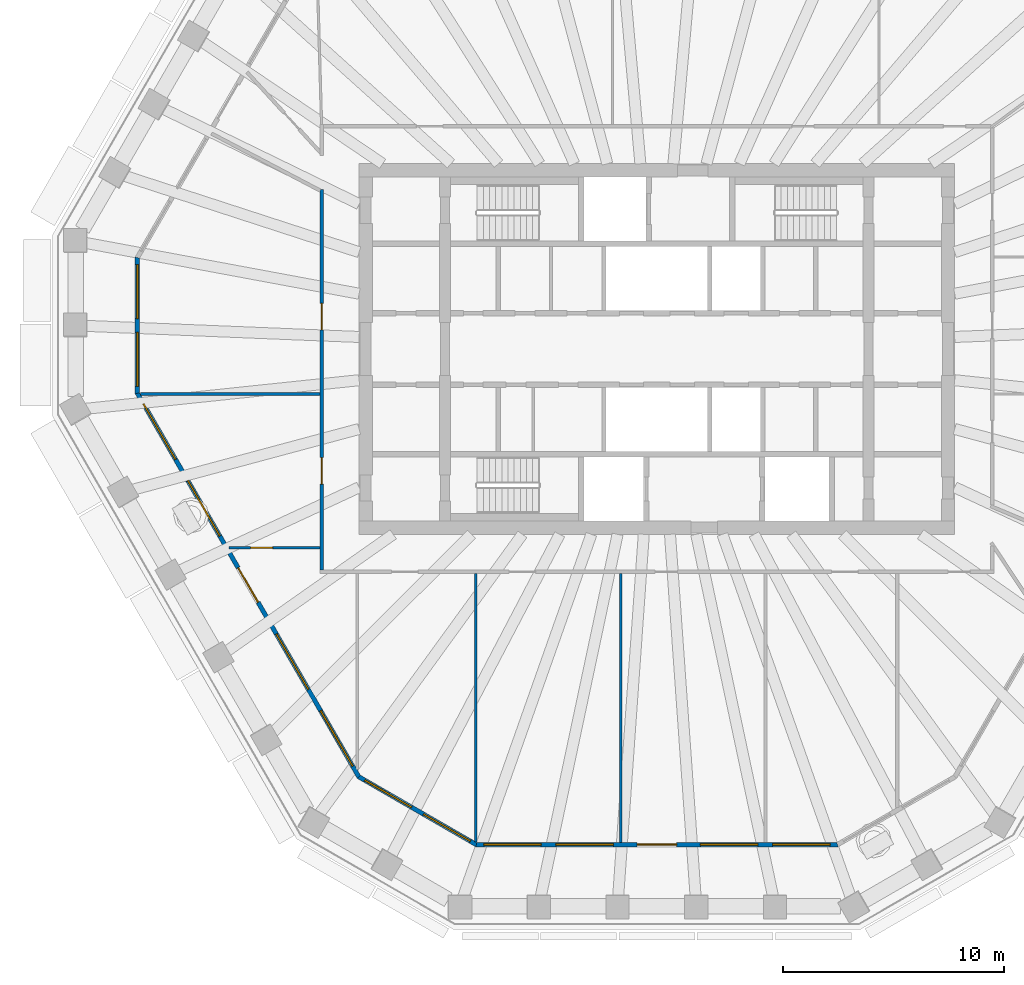
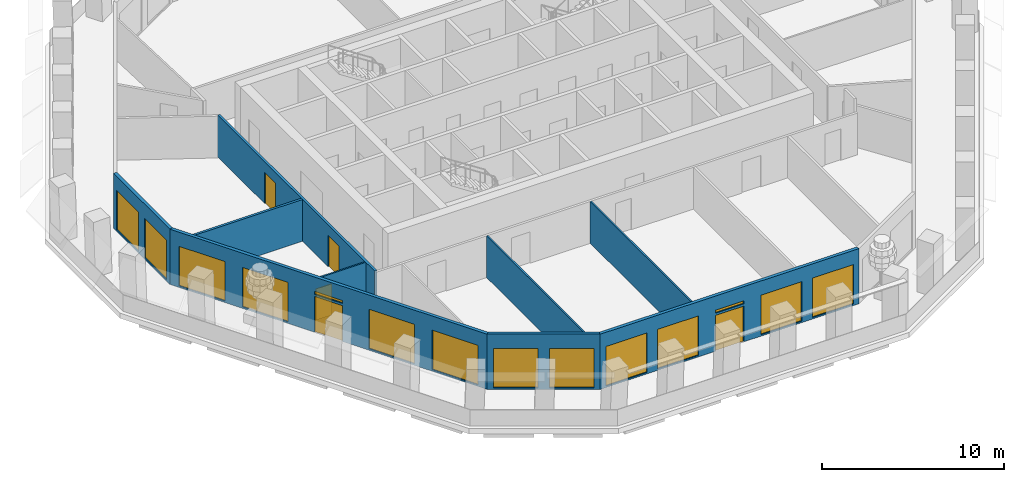
# One storey, part 3 of 12: 14 windows, 9 walls, 5 doors, 19 openings.
"""IFC4 building model written with IfcOpenShell, lengths in metres."""

from ifc_helpers import new_model, si_unit, direction, frame, frame_2d, origin, place, context, subcontext, project, spatial, polyline, rectangle, outline, extrude, material, layer, layer_set, type_object, element, fill, save


model = new_model("IFC4")

# Units and contexts
model_context = context("Model", 3, precision=1e-05, world=origin(), true_north=direction((0.0, 1.0)))
body_context = subcontext(model_context, "Body", "Model", "MODEL_VIEW")
ifc_project = project(units=[si_unit("LENGTHUNIT", "METRE"), si_unit("AREAUNIT", "SQUARE_METRE"), si_unit("VOLUMEUNIT", "CUBIC_METRE"), si_unit("PLANEANGLEUNIT", "RADIAN"), si_unit("MASSUNIT", "GRAM", prefix="KILO")], contexts=[model_context])

# Site, building, storey
site_placement = place(None, origin())
site = spatial("IfcSite", under=ifc_project, at=site_placement, CompositionType="ELEMENT")
building_placement = place(site_placement, origin())
building = spatial("IfcBuilding", under=site, at=building_placement, Name="Frailejon Research Tower", CompositionType="ELEMENT")
storey_placement = place(building_placement, frame((0.0, 0.0, 245.39990234375)))
storey = spatial("IfcBuildingStorey", under=building, at=storey_placement, Name="L53", CompositionType="ELEMENT", Elevation=245.39990234375)

# Wall, openings, doors
ifc_material_1 = material(Name="Gypsum board and masonry partition", Category="masonry")
ifc_layer_1 = layer(ifc_material_1, 0.14990234375)
ifc_layer_set_1 = layer_set([ifc_layer_1], Name="Corridor wall EI 60, gypsum on steel studs 150")
wall_type_1 = type_object("IfcWallType", Name="Corridor wall EI 60, gypsum on steel studs 150", PredefinedType="PARTITIONING", material=ifc_layer_set_1)
wall_1_placement = place(storey_placement, frame((-15.199951171875, -10.02490234375, 0.0), z_axis=(0.0, 0.0, 1.0), x_axis=(0.0, 1.0, 0.0)))
wall_1 = element("IfcWall", 1, at=wall_1_placement, inside=storey, type_object=wall_type_1, Name="T:IW:L53:006", PredefinedType="PARTITIONING", context=body_context, shape_type="SweptSolid", body=[
    extrude(rectangle(XDim=17.25, YDim=0.14990234375, at=frame_2d((8.625, 0.0))), origin(), (0.0, 0.0, 1.0), 2.800048828125),
])
opening_1_placement = place(wall_1_placement, frame((10.889892578125, 0.0, 0.0)))
opening_1 = element("IfcOpeningElement", 2, at=opening_1_placement, cuts=wall_1, Name="Opening D2042", PredefinedType="OPENING", context=body_context, shape_type="SweptSolid", body=[
    extrude(rectangle(XDim=1.199951171875, YDim=2.10009765625, at=frame_2d((0.60009765625, 1.050048828125))), frame((0.0, 0.0849609375, 0.0), z_axis=(0.0, -1.0, 0.0), x_axis=(1.0, 0.0, 0.0)), (0.0, 0.0, 1.0), 0.169921875),
])
opening_2_placement = place(wall_1_placement, frame((3.904052734375, 0.0, 0.0)))
opening_2 = element("IfcOpeningElement", 3, at=opening_2_placement, cuts=wall_1, Name="Opening D2043", PredefinedType="OPENING", context=body_context, shape_type="SweptSolid", body=[
    extrude(rectangle(XDim=1.199951171875, YDim=2.10009765625, at=frame_2d((0.60009765625, 1.050048828125))), frame((0.0, 0.0849609375, 0.0), z_axis=(0.0, -1.0, 0.0), x_axis=(1.0, 0.0, 0.0)), (0.0, 0.0, 1.0), 0.169921875),
])
ifc_material_2 = material(Name="Timber door leaf", Category="wood")
door_type_1 = type_object("IfcDoorType", Name="Door laboratory, timber, vision panel 1200", OperationType="NOTDEFINED", PredefinedType="DOOR", material=ifc_material_2)
door_1_placement = place(opening_1_placement, origin())
door_1 = element("IfcDoor", 4, at=door_1_placement, inside=storey, type_object=door_type_1, Name="D2042", OperationType="DOUBLE_DOOR_SINGLE_SWING", OverallHeight=2.10009765625, OverallWidth=1.199951171875, PredefinedType="DOOR", context=body_context, shape_type="SweptSolid", body=[
    extrude(rectangle(XDim=1.199951171875, YDim=2.10009765625, at=frame_2d((0.60009765625, 1.050048828125))), frame((0.0, 0.02490234375, 0.0), z_axis=(0.0, -1.0, 0.0), x_axis=(1.0, 0.0, 0.0)), (0.0, 0.0, 1.0), 0.050048828125),
])
fill(opening_1, door_1)
ifc_material_3 = material(Name="Timber door leaf", Category="wood")
door_type_2 = type_object("IfcDoorType", Name="Door single leaf, timber, steel frame 1200", OperationType="NOTDEFINED", PredefinedType="DOOR", material=ifc_material_3)
door_2_placement = place(opening_2_placement, origin())
door_2 = element("IfcDoor", 5, at=door_2_placement, inside=storey, type_object=door_type_2, Name="D2043", OperationType="DOUBLE_DOOR_SINGLE_SWING", OverallHeight=2.10009765625, OverallWidth=1.199951171875, PredefinedType="DOOR", context=body_context, shape_type="SweptSolid", body=[
    extrude(rectangle(XDim=1.199951171875, YDim=2.10009765625, at=frame_2d((0.60009765625, 1.050048828125))), frame((0.0, 0.02490234375, 0.0), z_axis=(0.0, -1.0, 0.0), x_axis=(1.0, 0.0, 0.0)), (0.0, 0.0, 1.0), 0.050048828125),
])
fill(opening_2, door_2)

# Wall
ifc_material_4 = material(Name="Gypsum board and masonry partition", Category="masonry")
ifc_layer_2 = layer(ifc_material_4, 0.14990234375)
ifc_layer_set_2 = layer_set([ifc_layer_2], Name="Laboratory partition, blockwork 150")
wall_type_2 = type_object("IfcWallType", Name="Laboratory partition, blockwork 150", PredefinedType="PARTITIONING", material=ifc_layer_set_2)
wall_2_placement = place(storey_placement, frame((-23.42041015625, -2.034912109375, 0.0), z_axis=(0.0, 0.0, 1.0), x_axis=(1.0, 0.0, 0.0)))
element("IfcWall", 6, at=wall_2_placement, inside=storey, type_object=wall_type_2, Name="T:IW:L53:011", PredefinedType="PARTITIONING", context=body_context, shape_type="SweptSolid", body=[
    extrude(rectangle(XDim=8.1455078125, YDim=0.14990234375, at=frame_2d((4.07275390625, 0.0))), origin(), (0.0, 0.0, 1.0), 2.800048828125),
])

# Wall, opening, door
ifc_material_5 = material(Name="Gypsum board and masonry partition", Category="masonry")
ifc_layer_3 = layer(ifc_material_5, 0.10009765625)
ifc_layer_set_3 = layer_set([ifc_layer_3], Name="Partition, gypsum on steel studs 100")
wall_type_3 = type_object("IfcWallType", Name="Partition, gypsum on steel studs 100", PredefinedType="PARTITIONING", material=ifc_layer_set_3)
wall_3_placement = place(storey_placement, frame((-19.39501953125, -9.007080078125, 0.0), z_axis=(0.0, 0.0, 1.0), x_axis=(1.0, 0.0, 0.0)))
wall_3 = element("IfcWall", 7, at=wall_3_placement, inside=storey, type_object=wall_type_3, Name="T:IW:L53:020", PredefinedType="PARTITIONING", context=body_context, shape_type="SweptSolid", body=[
    extrude(rectangle(XDim=4.1201171875, YDim=0.10009765625, at=frame_2d((2.06005859375, 0.0))), origin(), (0.0, 0.0, 1.0), 2.800048828125),
])
opening_3_placement = place(wall_3_placement, frame((0.9736328125, 0.0, 0.0)))
opening_3 = element("IfcOpeningElement", 8, at=opening_3_placement, cuts=wall_3, Name="Opening D2044", PredefinedType="OPENING", context=body_context, shape_type="SweptSolid", body=[
    extrude(rectangle(XDim=1.0, YDim=2.10009765625, at=frame_2d((0.5, 1.050048828125))), frame((0.0, 0.06005859375, 0.0), z_axis=(0.0, -1.0, 0.0), x_axis=(1.0, 0.0, 0.0)), (0.0, 0.0, 1.0), 0.1201171875),
])
ifc_material_6 = material(Name="Timber door leaf", Category="wood")
door_type_3 = type_object("IfcDoorType", Name="Door single leaf, timber, steel frame 1000", OperationType="NOTDEFINED", PredefinedType="DOOR", material=ifc_material_6)
door_3_placement = place(opening_3_placement, origin())
door_3 = element("IfcDoor", 9, at=door_3_placement, inside=storey, type_object=door_type_3, Name="D2044", OperationType="SINGLE_SWING_LEFT", OverallHeight=2.10009765625, OverallWidth=1.0, PredefinedType="DOOR", context=body_context, shape_type="SweptSolid", body=[
    extrude(rectangle(XDim=1.0, YDim=2.10009765625, at=frame_2d((0.5, 1.050048828125))), frame((0.0, 0.02490234375, 0.0), z_axis=(0.0, -1.0, 0.0), x_axis=(1.0, 0.0, 0.0)), (0.0, 0.0, 1.0), 0.050048828125),
])
fill(opening_3, door_3)

# Walls
wall_4_placement = place(storey_placement, frame((-8.212890625, -22.337646484375, 0.0), z_axis=(0.0, 0.0, 1.0), x_axis=(0.0, 1.0, 0.0)))
element("IfcWall", 10, at=wall_4_placement, inside=storey, type_object=wall_type_3, Name="T:IW:L53:022", PredefinedType="PARTITIONING", context=body_context, shape_type="SweptSolid", body=[
    extrude(rectangle(XDim=12.16259765625, YDim=0.10009765625, at=frame_2d((6.081298828125, 0.0))), origin(), (0.0, 0.0, 1.0), 2.800048828125),
])
wall_5_placement = place(storey_placement, frame((-1.642578125, -22.368408203125, 0.0), z_axis=(0.0, 0.0, 1.0), x_axis=(0.0, 1.0, 0.0)))
element("IfcWall", 11, at=wall_5_placement, inside=storey, type_object=wall_type_3, Name="T:IW:L53:023", PredefinedType="PARTITIONING", context=body_context, shape_type="SweptSolid", body=[
    extrude(rectangle(XDim=12.193359375, YDim=0.10009765625, at=frame_2d((6.0966796875, 0.0))), origin(), (0.0, 0.0, 1.0), 2.800048828125),
])

# Wall, openings, windows
ifc_material_7 = material(Name="Concrete C40/50 precast window wall panel", Category="concrete")
ifc_layer_4 = layer(ifc_material_7, 0.199951171875)
ifc_layer_set_4 = layer_set([ifc_layer_4], Name="Window wall 200")
wall_type_4 = type_object("IfcWallType", Name="Window wall 200", PredefinedType="SOLIDWALL", material=ifc_layer_set_4)
wall_6_placement = place(storey_placement, frame((-23.55126953125, 4.14501953125, 0.0), z_axis=(0.0, 0.0, 1.0), x_axis=(0.0, -1.0, 0.0)))
wall_6 = element("IfcWall", 12, at=wall_6_placement, inside=storey, type_object=wall_type_4, Name="Exterior wall L53", PredefinedType="SOLIDWALL", context=body_context, shape_type="SweptSolid", body=[
    extrude(outline(polyline([(-0.02685546875, -0.10009765625), (1.007568359375, -0.10009765625), (2.0419921875, -0.10009765625), (3.07666015625, -0.10009765625), (4.111083984375, -0.10009765625), (5.1455078125, -0.10009765625), (6.179931640625, -0.10009765625), (6.126220703125, 0.10009765625), (5.109619140625, 0.10009765625), (4.093017578125, 0.10009765625), (3.07666015625, 0.10009765625), (2.06005859375, 0.10009765625), (1.04345703125, 0.10009765625), (0.02685546875, 0.10009765625), (-0.02685546875, -0.10009765625)])), origin(), (0.0, 0.0, 1.0), 3.7001953125),
])
opening_4_placement = place(wall_6_placement, frame((0.313232421875, 0.0, 0.10009765625)))
opening_4 = element("IfcOpeningElement", 13, at=opening_4_placement, cuts=wall_6, Name="Opening W17", PredefinedType="OPENING", context=body_context, shape_type="SweptSolid", body=[
    extrude(rectangle(XDim=2.449951171875, YDim=2.64990234375, at=frame_2d((1.22509765625, 1.324951171875))), frame((0.0, 0.10986328125, 0.0), z_axis=(0.0, -1.0, 0.0), x_axis=(1.0, 0.0, 0.0)), (0.0, 0.0, 1.0), 0.219970703125),
])
opening_5_placement = place(wall_6_placement, frame((3.3896484375, 0.0, 0.10009765625)))
opening_5 = element("IfcOpeningElement", 14, at=opening_5_placement, cuts=wall_6, Name="Opening W17", PredefinedType="OPENING", context=body_context, shape_type="SweptSolid", body=[
    extrude(rectangle(XDim=2.449951171875, YDim=2.64990234375, at=frame_2d((1.22509765625, 1.324951171875))), frame((0.0, 0.10986328125, 0.0), z_axis=(0.0, -1.0, 0.0), x_axis=(1.0, 0.0, 0.0)), (0.0, 0.0, 1.0), 0.219970703125),
])
ifc_material_8 = material(Name="Aluminium framed double glazing", Category="aluminium")
window_type_1 = type_object("IfcWindowType", Name="Window 2450x2650", PartitioningType="SINGLE_PANEL", PredefinedType="WINDOW", material=ifc_material_8)
window_1_placement = place(opening_4_placement, origin())
window_1 = element("IfcWindow", 15, at=window_1_placement, inside=storey, type_object=window_type_1, Name="Window L53", OverallHeight=2.64990234375, OverallWidth=2.449951171875, PartitioningType="SINGLE_PANEL", PredefinedType="WINDOW", context=body_context, shape_type="SweptSolid", body=[
    extrude(rectangle(XDim=2.449951171875, YDim=2.64990234375, at=frame_2d((1.22509765625, 1.324951171875))), frame((0.0, 0.030029296875, 0.0), z_axis=(0.0, -1.0, 0.0), x_axis=(1.0, 0.0, 0.0)), (0.0, 0.0, 1.0), 0.06005859375),
])
fill(opening_4, window_1)
window_2_placement = place(opening_5_placement, origin())
window_2 = element("IfcWindow", 16, at=window_2_placement, inside=storey, type_object=window_type_1, Name="Window L53", OverallHeight=2.64990234375, OverallWidth=2.449951171875, PartitioningType="SINGLE_PANEL", PredefinedType="WINDOW", context=body_context, shape_type="SweptSolid", body=[
    extrude(rectangle(XDim=2.449951171875, YDim=2.64990234375, at=frame_2d((1.22509765625, 1.324951171875))), frame((0.0, 0.030029296875, 0.0), z_axis=(0.0, -1.0, 0.0), x_axis=(1.0, 0.0, 0.0)), (0.0, 0.0, 1.0), 0.06005859375),
])
fill(opening_5, window_2)

# Wall, openings, door, windows
wall_7_placement = place(storey_placement, frame((-23.55126953125, -2.008056640625, 0.0), z_axis=(0.0, 0.0, 1.0), x_axis=(0.499997939216, -0.866026593575, 0.0)))
wall_7 = element("IfcWall", 17, at=wall_7_placement, inside=storey, type_object=wall_type_4, Name="Exterior wall L53", PredefinedType="SOLIDWALL", context=body_context, shape_type="SweptSolid", body=[
    extrude(outline(polyline([(-0.02685546875, -0.10009765625), (0.9794921875, -0.10009765625), (1.98583984375, -0.10009765625), (2.9921875, -0.10009765625), (3.99853515625, -0.10009765625), (5.0048828125, -0.10009765625), (6.01123046875, -0.10009765625), (7.017578125, -0.10009765625), (8.02392578125, -0.10009765625), (9.0302734375, -0.10009765625), (10.03662109375, -0.10009765625), (11.04296875, -0.10009765625), (12.04931640625, -0.10009765625), (13.0556640625, -0.10009765625), (14.06201171875, -0.10009765625), (15.068359375, -0.10009765625), (16.07470703125, -0.10009765625), (17.0810546875, -0.10009765625), (18.08740234375, -0.10009765625), (19.09375, -0.10009765625), (20.10009765625, -0.10009765625), (20.04638671875, 0.10009765625), (19.04541015625, 0.10009765625), (18.04443359375, 0.10009765625), (17.04345703125, 0.10009765625), (16.04248046875, 0.10009765625), (15.04150390625, 0.10009765625), (14.04052734375, 0.10009765625), (13.03955078125, 0.10009765625), (12.03857421875, 0.10009765625), (11.03759765625, 0.10009765625), (10.03662109375, 0.10009765625), (9.03564453125, 0.10009765625), (8.03466796875, 0.10009765625), (7.03369140625, 0.10009765625), (6.03271484375, 0.10009765625), (5.03173828125, 0.10009765625), (4.03076171875, 0.10009765625), (3.02978515625, 0.10009765625), (2.02880859375, 0.10009765625), (1.02783203125, 0.10009765625), (0.02685546875, 0.10009765625), (-0.02685546875, -0.10009765625)])), origin(), (0.0, 0.0, 1.0), 3.7001953125),
])
opening_6_placement = place(wall_7_placement, frame((0.557373046875, 0.0, 0.10009765625)))
opening_6 = element("IfcOpeningElement", 18, at=opening_6_placement, cuts=wall_7, Name="Opening W20", PredefinedType="OPENING", context=body_context, shape_type="SweptSolid", body=[
    extrude(rectangle(XDim=2.89990234375, YDim=2.64990234375, at=frame_2d((1.449951171875, 1.324951171875))), frame((0.0, 0.10986328125, 0.0), z_axis=(0.0, -1.0, 0.0), x_axis=(1.0, 0.0, 0.0)), (0.0, 0.0, 1.0), 0.219970703125),
])
opening_7_placement = place(wall_7_placement, frame((4.572021484375, 0.0, 0.10009765625)))
opening_7 = element("IfcOpeningElement", 19, at=opening_7_placement, cuts=wall_7, Name="Opening W20", PredefinedType="OPENING", context=body_context, shape_type="SweptSolid", body=[
    extrude(rectangle(XDim=2.89990234375, YDim=2.64990234375, at=frame_2d((1.449951171875, 1.324951171875))), frame((0.0, 0.10986328125, 0.0), z_axis=(0.0, -1.0, 0.0), x_axis=(1.0, 0.0, 0.0)), (0.0, 0.0, 1.0), 0.219970703125),
])
opening_8_placement = place(wall_7_placement, frame((9.13671875, 0.0, 0.0)))
opening_8 = element("IfcOpeningElement", 20, at=opening_8_placement, cuts=wall_7, Name="Opening LG53-4", PredefinedType="OPENING", context=body_context, shape_type="SweptSolid", body=[
    extrude(rectangle(XDim=1.800048828125, YDim=2.39990234375, at=frame_2d((0.89990234375, 1.199951171875))), frame((0.0, 0.10986328125, 0.0), z_axis=(0.0, -1.0, 0.0), x_axis=(1.0, 0.0, 0.0)), (0.0, 0.0, 1.0), 0.219970703125),
])
opening_9_placement = place(wall_7_placement, frame((9.13671875, 0.0, 2.550048828125)))
opening_9 = element("IfcOpeningElement", 21, at=opening_9_placement, cuts=wall_7, Name="Opening W19", PredefinedType="OPENING", context=body_context, shape_type="SweptSolid", body=[
    extrude(rectangle(XDim=1.800048828125, YDim=0.199951171875, at=frame_2d((0.89990234375, 0.10009765625))), frame((0.0, 0.10986328125, 0.0), z_axis=(0.0, -1.0, 0.0), x_axis=(1.0, 0.0, 0.0)), (0.0, 0.0, 1.0), 0.219970703125),
])
opening_10_placement = place(wall_7_placement, frame((12.601318359375, 0.0, 0.10009765625)))
opening_10 = element("IfcOpeningElement", 22, at=opening_10_placement, cuts=wall_7, Name="Opening W20", PredefinedType="OPENING", context=body_context, shape_type="SweptSolid", body=[
    extrude(rectangle(XDim=2.89990234375, YDim=2.64990234375, at=frame_2d((1.449951171875, 1.324951171875))), frame((0.0, 0.10986328125, 0.0), z_axis=(0.0, -1.0, 0.0), x_axis=(1.0, 0.0, 0.0)), (0.0, 0.0, 1.0), 0.219970703125),
])
opening_11_placement = place(wall_7_placement, frame((16.615966796875, 0.0, 0.10009765625)))
opening_11 = element("IfcOpeningElement", 23, at=opening_11_placement, cuts=wall_7, Name="Opening W20", PredefinedType="OPENING", context=body_context, shape_type="SweptSolid", body=[
    extrude(rectangle(XDim=2.89990234375, YDim=2.64990234375, at=frame_2d((1.449951171875, 1.324951171875))), frame((0.0, 0.10986328125, 0.0), z_axis=(0.0, -1.0, 0.0), x_axis=(1.0, 0.0, 0.0)), (0.0, 0.0, 1.0), 0.219970703125),
])
ifc_material_9 = material(Name="Aluminium framed glazed door leaf", Category="aluminium")
door_type_4 = type_object("IfcDoorType", Name="Loggia door 1800x2400", OperationType="DOUBLE_DOOR_SINGLE_SWING", PredefinedType="DOOR", material=ifc_material_9)
door_4_placement = place(opening_8_placement, origin())
door_4 = element("IfcDoor", 24, at=door_4_placement, inside=storey, type_object=door_type_4, Name="Door LG53-4", OperationType="DOUBLE_DOOR_SINGLE_SWING", OverallHeight=2.39990234375, OverallWidth=1.800048828125, PredefinedType="DOOR", context=body_context, shape_type="SweptSolid", body=[
    extrude(rectangle(XDim=1.800048828125, YDim=2.39990234375, at=frame_2d((0.89990234375, 1.199951171875))), frame((0.0, 0.02490234375, 0.0), z_axis=(0.0, -1.0, 0.0), x_axis=(1.0, 0.0, 0.0)), (0.0, 0.0, 1.0), 0.050048828125),
])
fill(opening_8, door_4)
ifc_material_10 = material(Name="Aluminium framed double glazing", Category="aluminium")
window_type_2 = type_object("IfcWindowType", Name="Window 1800x200", PartitioningType="SINGLE_PANEL", PredefinedType="WINDOW", material=ifc_material_10)
window_3_placement = place(opening_9_placement, origin())
window_3 = element("IfcWindow", 25, at=window_3_placement, inside=storey, type_object=window_type_2, Name="Window L53", OverallHeight=0.199951171875, OverallWidth=1.800048828125, PartitioningType="SINGLE_PANEL", PredefinedType="WINDOW", context=body_context, shape_type="SweptSolid", body=[
    extrude(rectangle(XDim=1.800048828125, YDim=0.199951171875, at=frame_2d((0.89990234375, 0.10009765625))), frame((0.0, 0.030029296875, 0.0), z_axis=(0.0, -1.0, 0.0), x_axis=(1.0, 0.0, 0.0)), (0.0, 0.0, 1.0), 0.06005859375),
])
fill(opening_9, window_3)
ifc_material_11 = material(Name="Aluminium framed double glazing", Category="aluminium")
window_type_3 = type_object("IfcWindowType", Name="Window 2900x2650", PartitioningType="SINGLE_PANEL", PredefinedType="WINDOW", material=ifc_material_11)
window_4_placement = place(opening_6_placement, origin())
window_4 = element("IfcWindow", 26, at=window_4_placement, inside=storey, type_object=window_type_3, Name="Window L53", OverallHeight=2.64990234375, OverallWidth=2.89990234375, PartitioningType="SINGLE_PANEL", PredefinedType="WINDOW", context=body_context, shape_type="SweptSolid", body=[
    extrude(rectangle(XDim=2.89990234375, YDim=2.64990234375, at=frame_2d((1.449951171875, 1.324951171875))), frame((0.0, 0.030029296875, 0.0), z_axis=(0.0, -1.0, 0.0), x_axis=(1.0, 0.0, 0.0)), (0.0, 0.0, 1.0), 0.06005859375),
])
fill(opening_6, window_4)
window_5_placement = place(opening_7_placement, origin())
window_5 = element("IfcWindow", 27, at=window_5_placement, inside=storey, type_object=window_type_3, Name="Window L53", OverallHeight=2.64990234375, OverallWidth=2.89990234375, PartitioningType="SINGLE_PANEL", PredefinedType="WINDOW", context=body_context, shape_type="SweptSolid", body=[
    extrude(rectangle(XDim=2.89990234375, YDim=2.64990234375, at=frame_2d((1.449951171875, 1.324951171875))), frame((0.0, 0.030029296875, 0.0), z_axis=(0.0, -1.0, 0.0), x_axis=(1.0, 0.0, 0.0)), (0.0, 0.0, 1.0), 0.06005859375),
])
fill(opening_7, window_5)
window_6_placement = place(opening_10_placement, origin())
window_6 = element("IfcWindow", 28, at=window_6_placement, inside=storey, type_object=window_type_3, Name="Window L53", OverallHeight=2.64990234375, OverallWidth=2.89990234375, PartitioningType="SINGLE_PANEL", PredefinedType="WINDOW", context=body_context, shape_type="SweptSolid", body=[
    extrude(rectangle(XDim=2.89990234375, YDim=2.64990234375, at=frame_2d((1.449951171875, 1.324951171875))), frame((0.0, 0.030029296875, 0.0), z_axis=(0.0, -1.0, 0.0), x_axis=(1.0, 0.0, 0.0)), (0.0, 0.0, 1.0), 0.06005859375),
])
fill(opening_10, window_6)
window_7_placement = place(opening_11_placement, origin())
window_7 = element("IfcWindow", 29, at=window_7_placement, inside=storey, type_object=window_type_3, Name="Window L53", OverallHeight=2.64990234375, OverallWidth=2.89990234375, PartitioningType="SINGLE_PANEL", PredefinedType="WINDOW", context=body_context, shape_type="SweptSolid", body=[
    extrude(rectangle(XDim=2.89990234375, YDim=2.64990234375, at=frame_2d((1.449951171875, 1.324951171875))), frame((0.0, 0.030029296875, 0.0), z_axis=(0.0, -1.0, 0.0), x_axis=(1.0, 0.0, 0.0)), (0.0, 0.0, 1.0), 0.06005859375),
])
fill(opening_11, window_7)

# Wall, openings, windows
wall_8_placement = place(storey_placement, frame((-13.5146484375, -19.39208984375, 0.0), z_axis=(0.0, 0.0, 1.0), x_axis=(0.866029647142, -0.499992650217, 0.0)))
wall_8 = element("IfcWall", 30, at=wall_8_placement, inside=storey, type_object=wall_type_4, Name="Exterior wall L53", PredefinedType="SOLIDWALL", context=body_context, shape_type="SweptSolid", body=[
    extrude(outline(polyline([(-0.02685546875, -0.10009765625), (1.007568359375, -0.10009765625), (2.0419921875, -0.10009765625), (3.076416015625, -0.10009765625), (4.11083984375, -0.10009765625), (5.145263671875, -0.10009765625), (6.1796875, -0.10009765625), (6.1259765625, 0.10009765625), (5.109375, 0.10009765625), (4.093017578125, 0.10009765625), (3.076416015625, 0.10009765625), (2.059814453125, 0.10009765625), (1.04345703125, 0.10009765625), (0.02685546875, 0.10009765625), (-0.02685546875, -0.10009765625)])), origin(), (0.0, 0.0, 1.0), 3.7001953125),
])
opening_12_placement = place(wall_8_placement, frame((0.313232421875, 0.0, 0.10009765625)))
opening_12 = element("IfcOpeningElement", 31, at=opening_12_placement, cuts=wall_8, Name="Opening W17", PredefinedType="OPENING", context=body_context, shape_type="SweptSolid", body=[
    extrude(rectangle(XDim=2.449951171875, YDim=2.64990234375, at=frame_2d((1.22509765625, 1.324951171875))), frame((0.0, 0.10986328125, 0.0), z_axis=(0.0, -1.0, 0.0), x_axis=(1.0, 0.0, 0.0)), (0.0, 0.0, 1.0), 0.219970703125),
])
opening_13_placement = place(wall_8_placement, frame((3.3896484375, 0.0, 0.10009765625)))
opening_13 = element("IfcOpeningElement", 32, at=opening_13_placement, cuts=wall_8, Name="Opening W17", PredefinedType="OPENING", context=body_context, shape_type="SweptSolid", body=[
    extrude(rectangle(XDim=2.449951171875, YDim=2.64990234375, at=frame_2d((1.22509765625, 1.324951171875))), frame((0.0, 0.10986328125, 0.0), z_axis=(0.0, -1.0, 0.0), x_axis=(1.0, 0.0, 0.0)), (0.0, 0.0, 1.0), 0.219970703125),
])
window_8_placement = place(opening_12_placement, origin())
window_8 = element("IfcWindow", 33, at=window_8_placement, inside=storey, type_object=window_type_1, Name="Window L53", OverallHeight=2.64990234375, OverallWidth=2.449951171875, PartitioningType="SINGLE_PANEL", PredefinedType="WINDOW", context=body_context, shape_type="SweptSolid", body=[
    extrude(rectangle(XDim=2.449951171875, YDim=2.64990234375, at=frame_2d((1.22509765625, 1.324951171875))), frame((0.0, 0.030029296875, 0.0), z_axis=(0.0, -1.0, 0.0), x_axis=(1.0, 0.0, 0.0)), (0.0, 0.0, 1.0), 0.06005859375),
])
fill(opening_12, window_8)
window_9_placement = place(opening_13_placement, origin())
window_9 = element("IfcWindow", 34, at=window_9_placement, inside=storey, type_object=window_type_1, Name="Window L53", OverallHeight=2.64990234375, OverallWidth=2.449951171875, PartitioningType="SINGLE_PANEL", PredefinedType="WINDOW", context=body_context, shape_type="SweptSolid", body=[
    extrude(rectangle(XDim=2.449951171875, YDim=2.64990234375, at=frame_2d((1.22509765625, 1.324951171875))), frame((0.0, 0.030029296875, 0.0), z_axis=(0.0, -1.0, 0.0), x_axis=(1.0, 0.0, 0.0)), (0.0, 0.0, 1.0), 0.06005859375),
])
fill(opening_13, window_9)

# Wall, openings, door, windows
wall_9_placement = place(storey_placement, frame((-8.18603515625, -22.468505859375, 0.0), z_axis=(0.0, 0.0, 1.0), x_axis=(1.0, 0.0, 0.0)))
wall_9 = element("IfcWall", 35, at=wall_9_placement, inside=storey, type_object=wall_type_4, Name="Exterior wall L53", PredefinedType="SOLIDWALL", context=body_context, shape_type="SweptSolid", body=[
    extrude(outline(polyline([(-0.02685546875, -0.10009765625), (0.999755859375, -0.10009765625), (2.0263671875, -0.10009765625), (3.052978515625, -0.10009765625), (4.07958984375, -0.10009765625), (5.106201171875, -0.10009765625), (6.1328125, -0.10009765625), (7.159423828125, -0.10009765625), (8.18603515625, -0.10009765625), (9.212646484375, -0.10009765625), (10.2392578125, -0.10009765625), (11.265869140625, -0.10009765625), (12.29248046875, -0.10009765625), (13.319091796875, -0.10009765625), (14.345703125, -0.10009765625), (15.372314453125, -0.10009765625), (16.39892578125, -0.10009765625), (16.34521484375, 0.10009765625), (15.3251953125, 0.10009765625), (14.305419921875, 0.10009765625), (13.28564453125, 0.10009765625), (12.265625, 0.10009765625), (11.24560546875, 0.10009765625), (10.225830078125, 0.10009765625), (9.2060546875, 0.10009765625), (8.18603515625, 0.10009765625), (7.166015625, 0.10009765625), (6.146240234375, 0.10009765625), (5.12646484375, 0.10009765625), (4.1064453125, 0.10009765625), (3.08642578125, 0.10009765625), (2.066650390625, 0.10009765625), (1.046875, 0.10009765625), (0.02685546875, 0.10009765625), (-0.02685546875, -0.10009765625)])), origin(), (0.0, 0.0, 1.0), 3.7001953125),
])
opening_14_placement = place(wall_9_placement, frame((0.337158203125, 0.0, 0.10009765625)))
opening_14 = element("IfcOpeningElement", 36, at=opening_14_placement, cuts=wall_9, Name="Opening W18", PredefinedType="OPENING", context=body_context, shape_type="SweptSolid", body=[
    extrude(rectangle(XDim=2.60009765625, YDim=2.64990234375, at=frame_2d((1.300048828125, 1.324951171875))), frame((0.0, 0.10986328125, 0.0), z_axis=(0.0, -1.0, 0.0), x_axis=(1.0, 0.0, 0.0)), (0.0, 0.0, 1.0), 0.219970703125),
])
opening_15_placement = place(wall_9_placement, frame((3.611572265625, 0.0, 0.10009765625)))
opening_15 = element("IfcOpeningElement", 37, at=opening_15_placement, cuts=wall_9, Name="Opening W18", PredefinedType="OPENING", context=body_context, shape_type="SweptSolid", body=[
    extrude(rectangle(XDim=2.60009765625, YDim=2.64990234375, at=frame_2d((1.300048828125, 1.324951171875))), frame((0.0, 0.10986328125, 0.0), z_axis=(0.0, -1.0, 0.0), x_axis=(1.0, 0.0, 0.0)), (0.0, 0.0, 1.0), 0.219970703125),
])
opening_16_placement = place(wall_9_placement, frame((7.285888671875, 0.0, 0.0)))
opening_16 = element("IfcOpeningElement", 38, at=opening_16_placement, cuts=wall_9, Name="Opening LG53-5", PredefinedType="OPENING", context=body_context, shape_type="SweptSolid", body=[
    extrude(rectangle(XDim=1.800048828125, YDim=2.39990234375, at=frame_2d((0.89990234375, 1.199951171875))), frame((0.0, 0.10986328125, 0.0), z_axis=(0.0, -1.0, 0.0), x_axis=(1.0, 0.0, 0.0)), (0.0, 0.0, 1.0), 0.219970703125),
])
opening_17_placement = place(wall_9_placement, frame((7.285888671875, 0.0, 2.550048828125)))
opening_17 = element("IfcOpeningElement", 39, at=opening_17_placement, cuts=wall_9, Name="Opening W19", PredefinedType="OPENING", context=body_context, shape_type="SweptSolid", body=[
    extrude(rectangle(XDim=1.800048828125, YDim=0.199951171875, at=frame_2d((0.89990234375, 0.10009765625))), frame((0.0, 0.10986328125, 0.0), z_axis=(0.0, -1.0, 0.0), x_axis=(1.0, 0.0, 0.0)), (0.0, 0.0, 1.0), 0.219970703125),
])
opening_18_placement = place(wall_9_placement, frame((10.160400390625, 0.0, 0.10009765625)))
opening_18 = element("IfcOpeningElement", 40, at=opening_18_placement, cuts=wall_9, Name="Opening W18", PredefinedType="OPENING", context=body_context, shape_type="SweptSolid", body=[
    extrude(rectangle(XDim=2.60009765625, YDim=2.64990234375, at=frame_2d((1.300048828125, 1.324951171875))), frame((0.0, 0.10986328125, 0.0), z_axis=(0.0, -1.0, 0.0), x_axis=(1.0, 0.0, 0.0)), (0.0, 0.0, 1.0), 0.219970703125),
])
opening_19_placement = place(wall_9_placement, frame((13.434814453125, 0.0, 0.10009765625)))
opening_19 = element("IfcOpeningElement", 41, at=opening_19_placement, cuts=wall_9, Name="Opening W18", PredefinedType="OPENING", context=body_context, shape_type="SweptSolid", body=[
    extrude(rectangle(XDim=2.60009765625, YDim=2.64990234375, at=frame_2d((1.300048828125, 1.324951171875))), frame((0.0, 0.10986328125, 0.0), z_axis=(0.0, -1.0, 0.0), x_axis=(1.0, 0.0, 0.0)), (0.0, 0.0, 1.0), 0.219970703125),
])
door_5_placement = place(opening_16_placement, origin())
door_5 = element("IfcDoor", 42, at=door_5_placement, inside=storey, type_object=door_type_4, Name="Door LG53-5", OperationType="DOUBLE_DOOR_SINGLE_SWING", OverallHeight=2.39990234375, OverallWidth=1.800048828125, PredefinedType="DOOR", context=body_context, shape_type="SweptSolid", body=[
    extrude(rectangle(XDim=1.800048828125, YDim=2.39990234375, at=frame_2d((0.89990234375, 1.199951171875))), frame((0.0, 0.02490234375, 0.0), z_axis=(0.0, -1.0, 0.0), x_axis=(1.0, 0.0, 0.0)), (0.0, 0.0, 1.0), 0.050048828125),
])
fill(opening_16, door_5)
window_10_placement = place(opening_17_placement, origin())
window_10 = element("IfcWindow", 43, at=window_10_placement, inside=storey, type_object=window_type_2, Name="Window L53", OverallHeight=0.199951171875, OverallWidth=1.800048828125, PartitioningType="SINGLE_PANEL", PredefinedType="WINDOW", context=body_context, shape_type="SweptSolid", body=[
    extrude(rectangle(XDim=1.800048828125, YDim=0.199951171875, at=frame_2d((0.89990234375, 0.10009765625))), frame((0.0, 0.030029296875, 0.0), z_axis=(0.0, -1.0, 0.0), x_axis=(1.0, 0.0, 0.0)), (0.0, 0.0, 1.0), 0.06005859375),
])
fill(opening_17, window_10)
ifc_material_12 = material(Name="Aluminium framed double glazing", Category="aluminium")
window_type_4 = type_object("IfcWindowType", Name="Window 2600x2650", PartitioningType="SINGLE_PANEL", PredefinedType="WINDOW", material=ifc_material_12)
window_11_placement = place(opening_14_placement, origin())
window_11 = element("IfcWindow", 44, at=window_11_placement, inside=storey, type_object=window_type_4, Name="Window L53", OverallHeight=2.64990234375, OverallWidth=2.60009765625, PartitioningType="SINGLE_PANEL", PredefinedType="WINDOW", context=body_context, shape_type="SweptSolid", body=[
    extrude(rectangle(XDim=2.60009765625, YDim=2.64990234375, at=frame_2d((1.300048828125, 1.324951171875))), frame((0.0, 0.030029296875, 0.0), z_axis=(0.0, -1.0, 0.0), x_axis=(1.0, 0.0, 0.0)), (0.0, 0.0, 1.0), 0.06005859375),
])
fill(opening_14, window_11)
window_12_placement = place(opening_15_placement, origin())
window_12 = element("IfcWindow", 45, at=window_12_placement, inside=storey, type_object=window_type_4, Name="Window L53", OverallHeight=2.64990234375, OverallWidth=2.60009765625, PartitioningType="SINGLE_PANEL", PredefinedType="WINDOW", context=body_context, shape_type="SweptSolid", body=[
    extrude(rectangle(XDim=2.60009765625, YDim=2.64990234375, at=frame_2d((1.300048828125, 1.324951171875))), frame((0.0, 0.030029296875, 0.0), z_axis=(0.0, -1.0, 0.0), x_axis=(1.0, 0.0, 0.0)), (0.0, 0.0, 1.0), 0.06005859375),
])
fill(opening_15, window_12)
window_13_placement = place(opening_18_placement, origin())
window_13 = element("IfcWindow", 46, at=window_13_placement, inside=storey, type_object=window_type_4, Name="Window L53", OverallHeight=2.64990234375, OverallWidth=2.60009765625, PartitioningType="SINGLE_PANEL", PredefinedType="WINDOW", context=body_context, shape_type="SweptSolid", body=[
    extrude(rectangle(XDim=2.60009765625, YDim=2.64990234375, at=frame_2d((1.300048828125, 1.324951171875))), frame((0.0, 0.030029296875, 0.0), z_axis=(0.0, -1.0, 0.0), x_axis=(1.0, 0.0, 0.0)), (0.0, 0.0, 1.0), 0.06005859375),
])
fill(opening_18, window_13)
window_14_placement = place(opening_19_placement, origin())
window_14 = element("IfcWindow", 47, at=window_14_placement, inside=storey, type_object=window_type_4, Name="Window L53", OverallHeight=2.64990234375, OverallWidth=2.60009765625, PartitioningType="SINGLE_PANEL", PredefinedType="WINDOW", context=body_context, shape_type="SweptSolid", body=[
    extrude(rectangle(XDim=2.60009765625, YDim=2.64990234375, at=frame_2d((1.300048828125, 1.324951171875))), frame((0.0, 0.030029296875, 0.0), z_axis=(0.0, -1.0, 0.0), x_axis=(1.0, 0.0, 0.0)), (0.0, 0.0, 1.0), 0.06005859375),
])
fill(opening_19, window_14)

save(model, "model.ifc")
